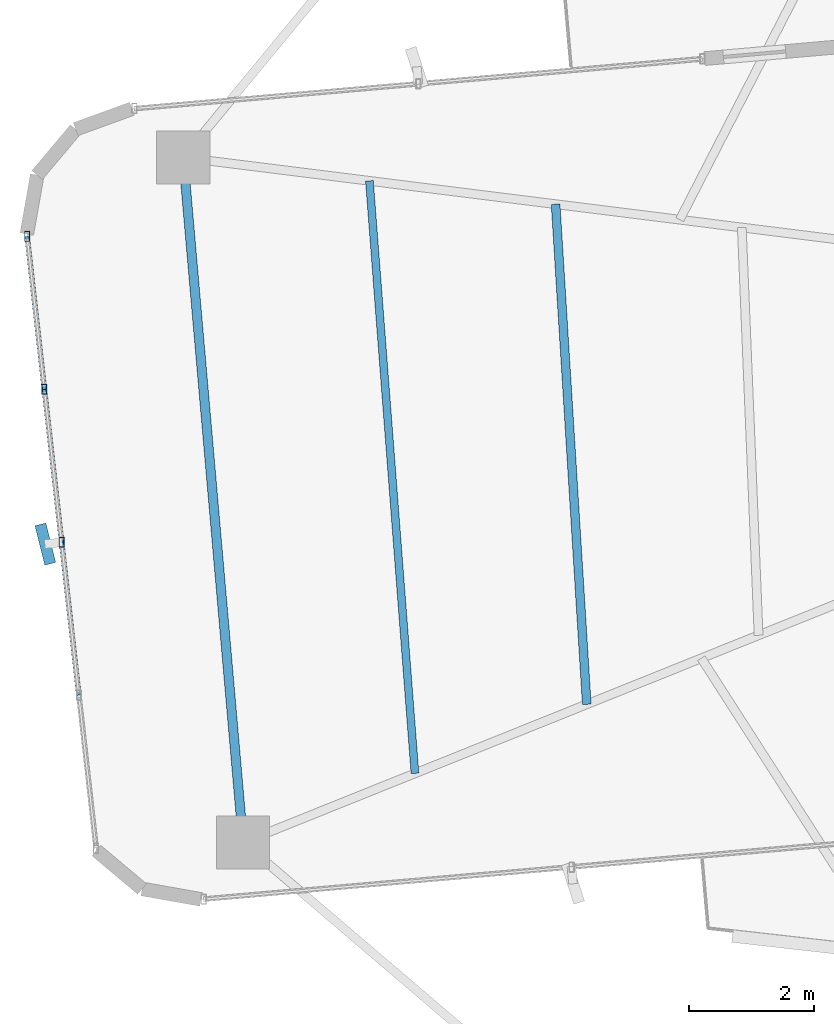
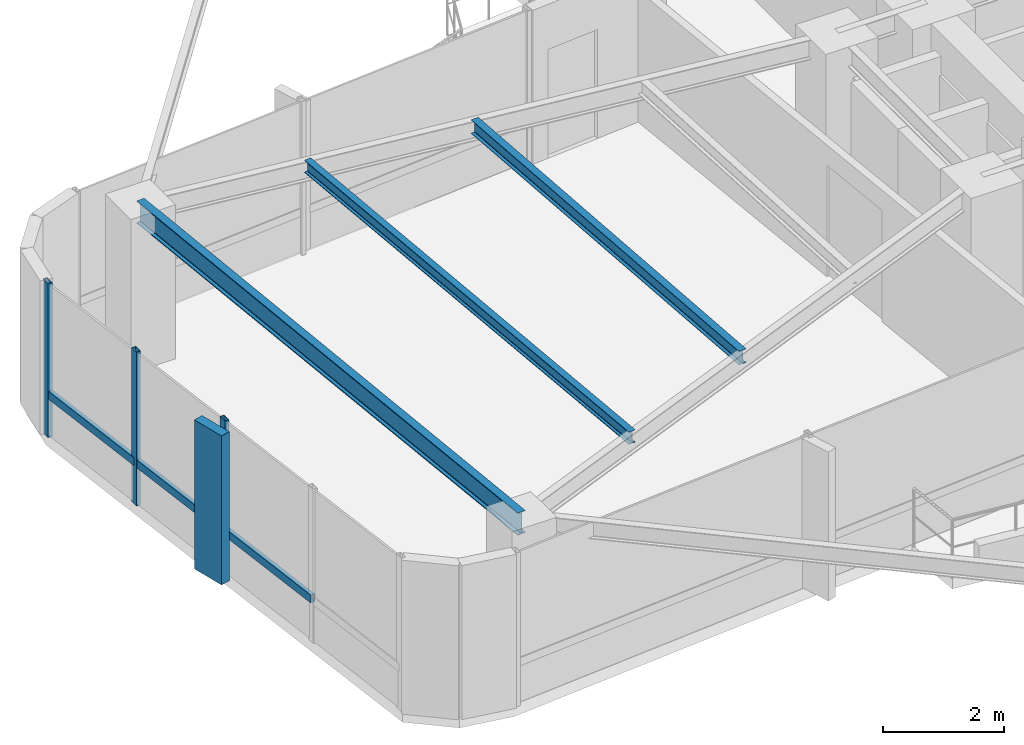
# One storey, part 8 of 24: 7 members, 3 beams, 1 element without a shape of its own.
"""IFC4 building model written with IfcOpenShell, lengths in metres."""

from ifc_helpers import new_model, si_unit, direction, frame, origin, origin_2d, place, context, subcontext, project, spatial, rectangle, hollow_rectangle, i_section, extrude, source, transform, mapped, material, material_profile, profile_set, type_object, element, aggregate, save


model = new_model("IFC4")

# Units and contexts
model_context = context("Model", 3, precision=1e-05, world=origin(), true_north=direction((0.0, 1.0)))
body_context = subcontext(model_context, "Body", "Model", "MODEL_VIEW")
ifc_project = project(units=[si_unit("LENGTHUNIT", "METRE"), si_unit("AREAUNIT", "SQUARE_METRE"), si_unit("VOLUMEUNIT", "CUBIC_METRE"), si_unit("PLANEANGLEUNIT", "RADIAN"), si_unit("MASSUNIT", "GRAM", prefix="KILO")], contexts=[model_context])

# Site, building, storey
site_placement = place(None, origin())
site = spatial("IfcSite", under=ifc_project, at=site_placement, CompositionType="ELEMENT")
building_placement = place(site_placement, origin())
building = spatial("IfcBuilding", under=site, at=building_placement, Name="Sahyath Konkavel Grand Hotel", CompositionType="ELEMENT")
storey_placement = place(building_placement, frame((0.0, 0.0, 175.199951171875)))
storey = spatial("IfcBuildingStorey", under=building, at=storey_placement, Name="L48", CompositionType="ELEMENT", Elevation=175.199951171875)

# Beams
ifc_material_1 = material(Name="Steel E350", Category="steel")
ifc_material_profile_1 = material_profile(ifc_material_1, i_section(OverallWidth=0.14990234375, OverallDepth=0.449951171875, WebThickness=0.009521484375, FlangeThickness=0.017333984375, FilletRadius=0.014892578125, at=origin_2d()), Name="ISMB 450")
ifc_profile_set_1 = profile_set([ifc_material_profile_1], Name="Steel E350")
beam_type_1 = type_object("IfcBeamType", Name="BM-ISMB450", PredefinedType="BEAM", material=ifc_profile_set_1)
shared_shape_1 = source(origin(), body_context, "Body", "SweptSolid", [
    extrude(i_section(OverallWidth=0.14990234375, OverallDepth=0.449951171875, WebThickness=0.009521484375, FlangeThickness=0.017333984375, FilletRadius=0.014892578125, at=origin_2d()), origin(), (0.0, 0.0, 1.0), 11.0),
])
beam_1_placement = place(storey_placement, frame((-17.912841796875, 3.953857421875, 2.885009765625), z_axis=(0.087157314015, -0.996194560622, 0.0), x_axis=(0.996194560622, 0.087157314015, 0.0)))
element("IfcBeam", 1, at=beam_1_placement, inside=storey, type_object=beam_type_1, Name="L48 Wing Tip Edge Beam W", PredefinedType="BEAM", context=body_context, shape_type="MappedRepresentation", body=[
    mapped(shared_shape_1, transform((0.0, 0.0, 0.0), scale=1.0)),
])
ifc_material_profile_2 = material_profile(ifc_material_1, i_section(OverallWidth=0.139892578125, OverallDepth=0.27490234375, WebThickness=0.00634765625, FlangeThickness=0.0087890625, FilletRadius=0.012939453125, at=origin_2d()), Name="ISLB 275")
ifc_profile_set_2 = profile_set([ifc_material_profile_2], Name="Steel E350")
beam_type_2 = type_object("IfcBeamType", Name="BM-ISLB275", PredefinedType="BEAM", material=ifc_profile_set_2)
shared_shape_2 = source(origin(), body_context, "Body", "SweptSolid", [
    extrude(i_section(OverallWidth=0.139892578125, OverallDepth=0.27490234375, WebThickness=0.00634765625, FlangeThickness=0.0087890625, FilletRadius=0.012939453125, at=origin_2d()), origin(), (0.0, 0.0, 1.0), 8.017822265625),
])
beam_2_placement = place(storey_placement, frame((-11.95458984375, 3.2080078125, 2.97265625), z_axis=(0.062179233264, -0.998064999362, 0.0), x_axis=(0.998064999362, 0.062179233264, 0.0)))
element("IfcBeam", 2, at=beam_2_placement, inside=storey, type_object=beam_type_2, Name="L48 Secondary Floor Beam W-2", PredefinedType="BEAM", context=body_context, shape_type="MappedRepresentation", body=[
    mapped(shared_shape_2, transform((0.0, 0.0, 0.0), scale=1.0)),
])
ifc_material_profile_3 = material_profile(ifc_material_1, i_section(OverallWidth=0.125, OverallDepth=0.25, WebThickness=0.0068359375, FlangeThickness=0.012451171875, FilletRadius=0.012939453125, at=origin_2d()), Name="ISMB 250")
ifc_profile_set_3 = profile_set([ifc_material_profile_3], Name="Steel E350")
beam_type_3 = type_object("IfcBeamType", Name="BM-ISMB250", PredefinedType="BEAM", material=ifc_profile_set_3)
shared_shape_3 = source(origin(), body_context, "Body", "SweptSolid", [
    extrude(i_section(OverallWidth=0.125, OverallDepth=0.25, WebThickness=0.0068359375, FlangeThickness=0.012451171875, FilletRadius=0.012939453125, at=origin_2d()), origin(), (0.0, 0.0, 1.0), 9.508056640625),
])
beam_3_placement = place(storey_placement, frame((-14.93359375, 3.580810546875, 2.985107421875), z_axis=(0.076619921029, -0.997060373148, 0.0), x_axis=(0.997060373148, 0.076619921029, 0.0)))
element("IfcBeam", 3, at=beam_3_placement, inside=storey, type_object=beam_type_3, Name="L48 Secondary Floor Beam W-3", PredefinedType="BEAM", context=body_context, shape_type="MappedRepresentation", body=[
    mapped(shared_shape_3, transform((0.0, 0.0, 0.0), scale=1.0)),
])

# Curtain wall, members
ifc_material_2 = material(Name="Anodised Bronze Aluminium & Low-E Glazing", Category="aluminium")
curtain_wall_type = type_object("IfcCurtainWallType", Name="CW-ZONE3", PredefinedType="NOTDEFINED", material=ifc_material_2)
curtain_wall_placement = place(storey_placement, origin())
curtain_wall = element("IfcCurtainWall", 4, at=curtain_wall_placement, inside=storey, type_object=curtain_wall_type, Name="L48 Unitised Curtain Wall F20", PredefinedType="NOTDEFINED")
ifc_material_3 = material(Name="Warm Buff Sandstone Cladding on Concrete C50/60", Category="masonry")
ifc_material_profile_4 = material_profile(ifc_material_3, rectangle(XDim=0.179931640625, YDim=0.64990234375, at=origin_2d()), Name="FIN 180x650")
ifc_profile_set_4 = profile_set([ifc_material_profile_4], Name="Warm Buff Sandstone Cladding on Concrete C50/60")
member_type_1 = type_object("IfcMemberType", Name="FIN-SANDSTONE-650", PredefinedType="MULLION", material=ifc_profile_set_4)
shared_shape_4 = source(origin(), body_context, "Body", "SweptSolid", [
    extrude(rectangle(XDim=0.179931640625, YDim=0.64990234375, at=origin_2d()), origin(), (0.0, 0.0, 1.0), 3.010009765625),
])
member_1_placement = place(storey_placement, frame((-20.1181640625, -2.23095703125, 0.050048828125), z_axis=(0.0, 0.0, 1.0), x_axis=(0.970084240161, 0.242768546132, 0.0)))
member_1 = element("IfcMember", 5, at=member_1_placement, type_object=member_type_1, Name="L48 Sandstone Vertical Solar Fin FIN F20-2", PredefinedType="MULLION", context=body_context, shape_type="MappedRepresentation", body=[
    mapped(shared_shape_4, transform((0.0, 0.0, 0.0), scale=1.0)),
])
ifc_material_4 = material(Name="Anodised Bronze Aluminium", Category="aluminium")
ifc_material_profile_5 = material_profile(ifc_material_4, hollow_rectangle(XDim=0.080078125, YDim=0.159912109375, WallThickness=0.006103515625, at=origin_2d()), Name="RHS 160x80x6")
ifc_profile_set_5 = profile_set([ifc_material_profile_5], Name="Anodised Bronze Aluminium")
member_type_2 = type_object("IfcMemberType", Name="CW-MUL-160", PredefinedType="MULLION", material=ifc_profile_set_5)
shared_shape_5 = source(origin(), body_context, "Body", "SweptSolid", [
    extrude(hollow_rectangle(XDim=0.080078125, YDim=0.159912109375, WallThickness=0.006103515625, at=origin_2d()), origin(), (0.0, 0.0, 1.0), 3.110107421875),
])
member_2_placement = place(storey_placement, frame((-20.4111328125, 2.69140625, 0.0), z_axis=(0.0, 0.0, 1.0), x_axis=(1.0, 0.0, 0.0)))
member_2 = element("IfcMember", 6, at=member_2_placement, type_object=member_type_2, Name="L48 Curtain Wall Mullion F20-0", PredefinedType="MULLION", context=body_context, shape_type="MappedRepresentation", body=[
    mapped(shared_shape_5, transform((0.0, 0.0, 0.0), scale=1.0)),
])
member_3_placement = place(storey_placement, frame((-20.135498046875, 0.24462890625, 0.0), z_axis=(0.0, 0.0, 1.0), x_axis=(1.0, 0.0, 0.0)))
member_3 = element("IfcMember", 7, at=member_3_placement, type_object=member_type_2, Name="L48 Curtain Wall Mullion F20-1", PredefinedType="MULLION", context=body_context, shape_type="MappedRepresentation", body=[
    mapped(shared_shape_5, transform((0.0, 0.0, 0.0), scale=1.0)),
])
member_4_placement = place(storey_placement, frame((-19.859619140625, -2.201904296875, 0.0), z_axis=(0.0, 0.0, 1.0), x_axis=(1.0, 0.0, 0.0)))
member_4 = element("IfcMember", 8, at=member_4_placement, type_object=member_type_2, Name="L48 Curtain Wall Mullion F20-2", PredefinedType="MULLION", context=body_context, shape_type="MappedRepresentation", body=[
    mapped(shared_shape_5, transform((0.0, 0.0, 0.0), scale=1.0)),
])
ifc_material_profile_6 = material_profile(ifc_material_4, hollow_rectangle(XDim=0.080078125, YDim=0.159912109375, WallThickness=0.006103515625, at=origin_2d()), Name="RHS 160x80x6")
ifc_profile_set_6 = profile_set([ifc_material_profile_6], Name="Anodised Bronze Aluminium")
member_type_3 = type_object("IfcMemberType", Name="CW-TRN-160", PredefinedType="USERDEFINED", material=ifc_profile_set_6)
shared_shape_6 = source(origin(), body_context, "Body", "SweptSolid", [
    extrude(hollow_rectangle(XDim=0.080078125, YDim=0.159912109375, WallThickness=0.006103515625, at=origin_2d()), origin(), (0.0, 0.0, 1.0), 2.462158203125),
])
member_5_placement = place(storey_placement, frame((-20.4111328125, 2.69140625, 0.85009765625), z_axis=(0.11194409079, -0.993714506555, 0.0), x_axis=(0.993714506555, 0.11194409079, 0.0)))
member_5 = element("IfcMember", 9, at=member_5_placement, type_object=member_type_3, Name="L48 Curtain Wall Transom F20-0-spandrel", ObjectType="TRANSOM", PredefinedType="USERDEFINED", context=body_context, shape_type="MappedRepresentation", body=[
    mapped(shared_shape_6, transform((0.0, 0.0, 0.0), scale=1.0)),
])
member_6_placement = place(storey_placement, frame((-20.135498046875, 0.24462890625, 0.85009765625), z_axis=(0.112053040279, -0.99370222711, 0.0), x_axis=(0.99370222711, 0.112053040279, 0.0)))
member_6 = element("IfcMember", 10, at=member_6_placement, type_object=member_type_3, Name="L48 Curtain Wall Transom F20-1-spandrel", ObjectType="TRANSOM", PredefinedType="USERDEFINED", context=body_context, shape_type="MappedRepresentation", body=[
    mapped(shared_shape_6, transform((0.0, 0.0, 0.0), scale=1.0)),
])
shared_shape_7 = source(origin(), body_context, "Body", "SweptSolid", [
    extrude(hollow_rectangle(XDim=0.080078125, YDim=0.159912109375, WallThickness=0.006103515625, at=origin_2d()), origin(), (0.0, 0.0, 1.0), 2.461669921875),
])
member_7_placement = place(storey_placement, frame((-19.859619140625, -2.201904296875, 0.85009765625), z_axis=(0.111966154832, -0.993712020744, 0.0), x_axis=(0.993712020744, 0.111966154832, 0.0)))
member_7 = element("IfcMember", 11, at=member_7_placement, type_object=member_type_3, Name="L48 Curtain Wall Transom F20-2-spandrel", ObjectType="TRANSOM", PredefinedType="USERDEFINED", context=body_context, shape_type="MappedRepresentation", body=[
    mapped(shared_shape_7, transform((0.0, 0.0, 0.0), scale=1.0)),
])
aggregate(curtain_wall, [member_2, member_3, member_4, member_1, member_5, member_6, member_7])

save(model, "model.ifc")
